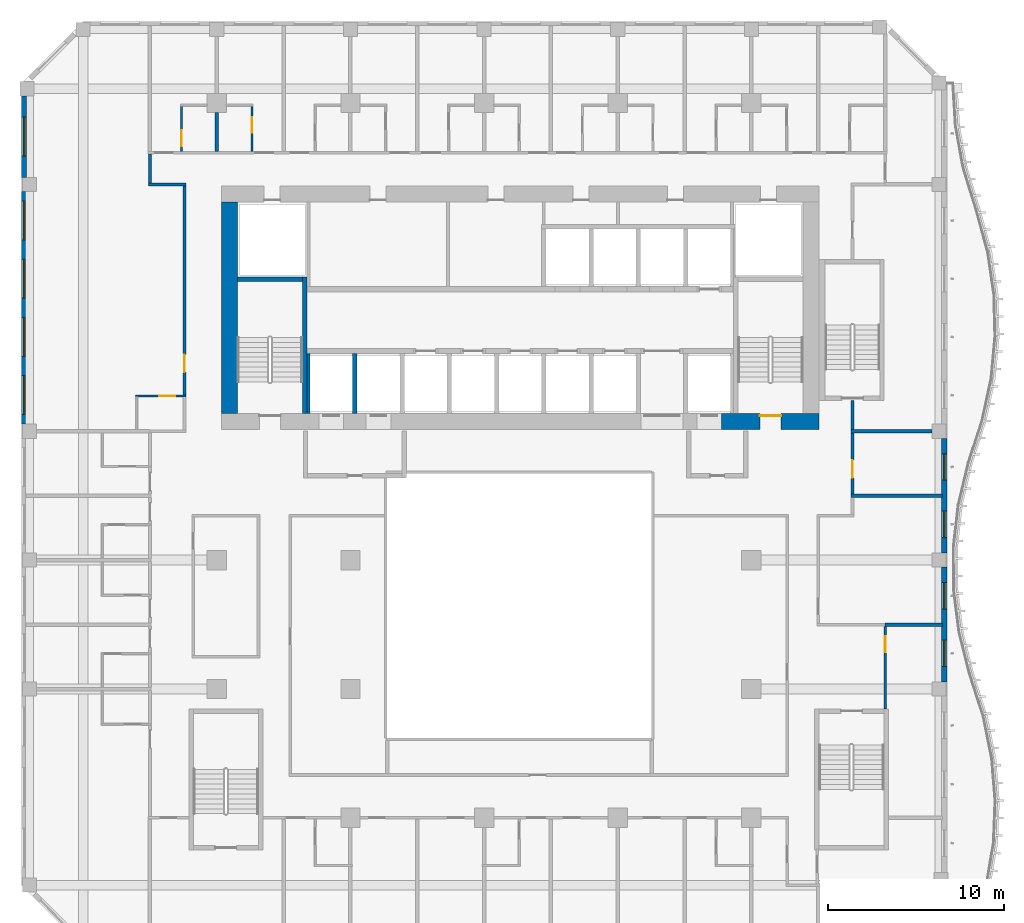
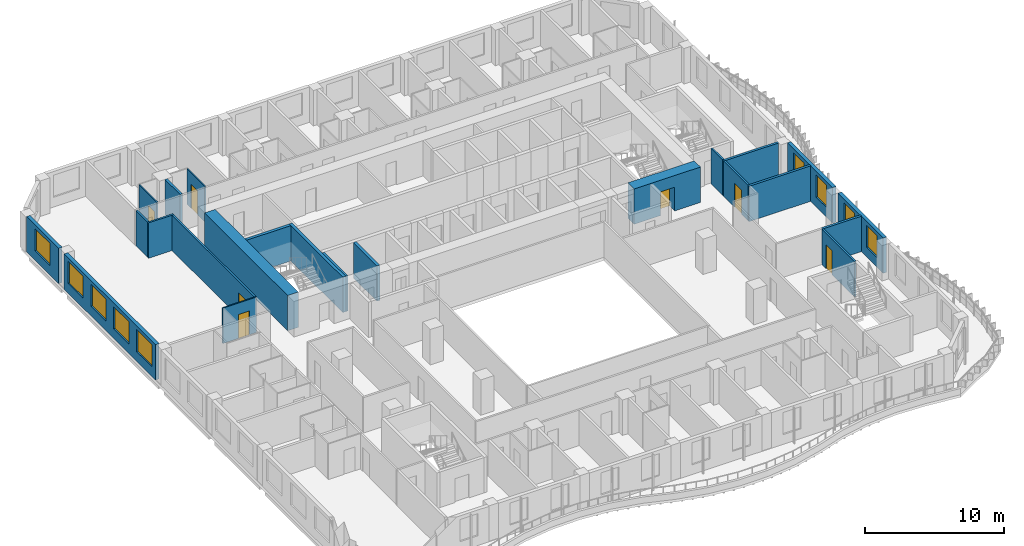
# One storey, part 6 of 21: 23 walls, 9 windows, 7 doors, 16 openings.
"""IFC4 building model written with IfcOpenShell, lengths in metres."""

from ifc_helpers import new_model, si_unit, direction, frame, frame_2d, origin, place, context, subcontext, project, spatial, rectangle, extrude, source, transform, mapped, material, layer, layer_set, type_object, element, fill, save


model = new_model("IFC4")

# Units and contexts
model_context = context("Model", 3, precision=1e-05, world=origin(), true_north=direction((0.0, 1.0)))
body_context = subcontext(model_context, "Body", "Model", "MODEL_VIEW")
ifc_project = project(units=[si_unit("LENGTHUNIT", "METRE"), si_unit("AREAUNIT", "SQUARE_METRE"), si_unit("VOLUMEUNIT", "CUBIC_METRE"), si_unit("PLANEANGLEUNIT", "RADIAN"), si_unit("MASSUNIT", "GRAM", prefix="KILO")], contexts=[model_context])

# Site, building, storey
site_placement = place(None, origin())
site = spatial("IfcSite", under=ifc_project, at=site_placement, CompositionType="ELEMENT")
building_placement = place(site_placement, origin())
building = spatial("IfcBuilding", under=site, at=building_placement, Name="Kilnfold Tower and Market Hall", CompositionType="ELEMENT")
storey_placement = place(building_placement, frame((0.0, 0.0, 147.300048828125)))
storey = spatial("IfcBuildingStorey", under=building, at=storey_placement, Name="L33", CompositionType="ELEMENT", Elevation=147.300048828125)

# Wall, opening, door
ifc_material_1 = material(Name="Gypsum board on steel studs", Category="steel")
ifc_layer_1 = layer(ifc_material_1, 0.14990234375)
ifc_layer_set_1 = layer_set([ifc_layer_1], Name="Gypsum board on steel studs")
wall_type_1 = type_object("IfcWallType", Name="WALL CORRIDOR 150", PredefinedType="PARTITIONING", material=ifc_layer_set_1)
wall_1_placement = place(storey_placement, frame((-18.0, 10.0400390625, 0.0), z_axis=(0.0, 0.0, 1.0), x_axis=(0.0, 1.0, 0.0)))
wall_1 = element("IfcWall", 1, at=wall_1_placement, inside=storey, type_object=wall_type_1, Name="Partition LY21.20", PredefinedType="PARTITIONING", context=body_context, shape_type="SweptSolid", body=[
    extrude(rectangle(XDim=11.885009765625, YDim=0.14990234375, at=frame_2d((5.9423828125, 0.0))), origin(), (0.0, 0.0, 1.0), 3.119873046875),
])
opening_1_placement = place(wall_1_placement, frame((1.30908203125, 0.0, 0.0)))
opening_1 = element("IfcOpeningElement", 2, at=opening_1_placement, cuts=wall_1, Name="Opening D1", PredefinedType="OPENING", context=body_context, shape_type="SweptSolid", body=[
    extrude(rectangle(XDim=1.0, YDim=2.10009765625, at=frame_2d((0.5, 1.050048828125))), frame((0.0, 0.0849609375, 0.0), z_axis=(0.0, -1.0, 0.0), x_axis=(1.0, 0.0, 0.0)), (0.0, 0.0, 1.0), 0.169921875),
])
ifc_material_2 = material(Name="Timber veneer door leaf in steel frame", Category="steel")
door_type_1 = type_object("IfcDoorType", Name="DOOR ENTRY 1000 X2100", OperationType="NOTDEFINED", PredefinedType="DOOR", material=ifc_material_2)
door_1_placement = place(opening_1_placement, origin())
door_1 = element("IfcDoor", 3, at=door_1_placement, inside=storey, type_object=door_type_1, Name="Door D1", OperationType="SINGLE_SWING_RIGHT", OverallHeight=2.10009765625, OverallWidth=1.0, PredefinedType="DOOR", context=body_context, shape_type="SweptSolid", body=[
    extrude(rectangle(XDim=1.0, YDim=2.10009765625, at=frame_2d((0.5, 1.050048828125))), frame((0.0, 0.02490234375, 0.0), z_axis=(0.0, -1.0, 0.0), x_axis=(1.0, 0.0, 0.0)), (0.0, 0.0, 1.0), 0.050048828125),
])
fill(opening_1, door_1)

# Walls
wall_2_placement = place(storey_placement, frame((-20.033935546875, 22.0, 0.0), z_axis=(0.0, 0.0, 1.0), x_axis=(1.0, 0.0, 0.0)))
element("IfcWall", 4, at=wall_2_placement, inside=storey, type_object=wall_type_1, Name="Partition LY21.21", PredefinedType="PARTITIONING", context=body_context, shape_type="SweptSolid", body=[
    extrude(rectangle(XDim=2.10888671875, YDim=0.14990234375, at=frame_2d((1.054443359375, 0.0))), origin(), (0.0, 0.0, 1.0), 3.119873046875),
])
wall_3_placement = place(storey_placement, frame((-19.958984375, 22.074951171875, 0.0), z_axis=(0.0, 0.0, 1.0), x_axis=(0.0, 1.0, 0.0)))
element("IfcWall", 5, at=wall_3_placement, inside=storey, type_object=wall_type_1, Name="Partition LY21.22", PredefinedType="PARTITIONING", context=body_context, shape_type="SweptSolid", body=[
    extrude(rectangle(XDim=1.650146484375, YDim=0.14990234375, at=frame_2d((0.8251953125, 0.0))), origin(), (0.0, 0.0, 1.0), 3.119873046875),
])

# Wall, opening, door
wall_4_placement = place(storey_placement, frame((19.89990234375, 4.43408203125, 0.0), z_axis=(0.0, 0.0, 1.0), x_axis=(0.0, 1.0, 0.0)))
wall_4 = element("IfcWall", 6, at=wall_4_placement, inside=storey, type_object=wall_type_1, Name="Partition LY21.27", PredefinedType="PARTITIONING", context=body_context, shape_type="SweptSolid", body=[
    extrude(rectangle(XDim=3.475830078125, YDim=0.14990234375, at=frame_2d((1.73779296875, 0.0))), origin(), (0.0, 0.0, 1.0), 3.119873046875),
])
opening_2_placement = place(wall_4_placement, frame((0.927001953125, 0.0, 0.0)))
opening_2 = element("IfcOpeningElement", 7, at=opening_2_placement, cuts=wall_4, Name="Opening D4", PredefinedType="OPENING", context=body_context, shape_type="SweptSolid", body=[
    extrude(rectangle(XDim=1.0, YDim=2.10009765625, at=frame_2d((0.5, 1.050048828125))), frame((0.0, 0.0849609375, 0.0), z_axis=(0.0, -1.0, 0.0), x_axis=(1.0, 0.0, 0.0)), (0.0, 0.0, 1.0), 0.169921875),
])
ifc_material_3 = material(Name="Timber veneer door leaf in steel frame", Category="steel")
door_type_2 = type_object("IfcDoorType", Name="DOOR SERVICE 1000 X2100", OperationType="NOTDEFINED", PredefinedType="DOOR", material=ifc_material_3)
door_2_placement = place(opening_2_placement, origin())
door_2 = element("IfcDoor", 8, at=door_2_placement, inside=storey, type_object=door_type_2, Name="Door D4", OperationType="SINGLE_SWING_RIGHT", OverallHeight=2.10009765625, OverallWidth=1.0, PredefinedType="DOOR", context=body_context, shape_type="SweptSolid", body=[
    extrude(rectangle(XDim=1.0, YDim=2.10009765625, at=frame_2d((0.5, 1.050048828125))), frame((0.0, 0.02490234375, 0.0), z_axis=(0.0, -1.0, 0.0), x_axis=(1.0, 0.0, 0.0)), (0.0, 0.0, 1.0), 0.050048828125),
])
fill(opening_2, door_2)

# Wall
wall_5_placement = place(storey_placement, frame((19.89990234375, 8.090087890625, 0.0), z_axis=(0.0, 0.0, 1.0), x_axis=(0.0, 1.0, 0.0)))
element("IfcWall", 9, at=wall_5_placement, inside=storey, type_object=wall_type_1, Name="Partition LY21.30", PredefinedType="PARTITIONING", context=body_context, shape_type="SweptSolid", body=[
    extrude(rectangle(XDim=1.659912109375, YDim=0.14990234375, at=frame_2d((0.830078125, 0.0))), origin(), (0.0, 0.0, 1.0), 3.119873046875),
])

# Wall, opening, door
wall_6_placement = place(storey_placement, frame((21.75, -7.75, 0.0), z_axis=(0.0, 0.0, 1.0), x_axis=(0.0, 1.0, 0.0)))
wall_6 = element("IfcWall", 10, at=wall_6_placement, inside=storey, type_object=wall_type_1, Name="Partition LY21.35", PredefinedType="PARTITIONING", context=body_context, shape_type="SweptSolid", body=[
    extrude(rectangle(XDim=4.681884765625, YDim=0.14990234375, at=frame_2d((2.3408203125, 0.0))), origin(), (0.0, 0.0, 1.0), 3.119873046875),
])
opening_3_placement = place(wall_6_placement, frame((3.205078125, 0.0, 0.0)))
opening_3 = element("IfcOpeningElement", 11, at=opening_3_placement, cuts=wall_6, Name="Opening D2", PredefinedType="OPENING", context=body_context, shape_type="SweptSolid", body=[
    extrude(rectangle(XDim=0.89990234375, YDim=2.10009765625, at=frame_2d((0.449951171875, 1.050048828125))), frame((0.0, 0.0849609375, 0.0), z_axis=(0.0, -1.0, 0.0), x_axis=(1.0, 0.0, 0.0)), (0.0, 0.0, 1.0), 0.169921875),
])
ifc_material_4 = material(Name="Timber veneer door leaf in steel frame", Category="steel")
door_type_3 = type_object("IfcDoorType", Name="DOOR ROOM 900 X2100", OperationType="NOTDEFINED", PredefinedType="DOOR", material=ifc_material_4)
door_3_placement = place(opening_3_placement, origin())
door_3 = element("IfcDoor", 12, at=door_3_placement, inside=storey, type_object=door_type_3, Name="Door D2", OperationType="SINGLE_SWING_LEFT", OverallHeight=2.10009765625, OverallWidth=0.89990234375, PredefinedType="DOOR", context=body_context, shape_type="SweptSolid", body=[
    extrude(rectangle(XDim=0.89990234375, YDim=2.10009765625, at=frame_2d((0.449951171875, 1.050048828125))), frame((0.0, 0.02490234375, 0.0), z_axis=(0.0, -1.0, 0.0), x_axis=(1.0, 0.0, 0.0)), (0.0, 0.0, 1.0), 0.050048828125),
])
fill(opening_3, door_3)

ifc_material_5 = material(Name="Gypsum board on steel studs", Category="steel")
ifc_layer_2 = layer(ifc_material_5, 0.10009765625)
ifc_layer_set_2 = layer_set([ifc_layer_2], Name="Gypsum board on steel studs")
wall_type_2 = type_object("IfcWallType", Name="WALL PARTITION 100", PredefinedType="PARTITIONING", material=ifc_layer_set_2)
wall_7_placement = place(storey_placement, frame((-20.751953125, 10.0, 0.0), z_axis=(0.0, 0.0, 1.0), x_axis=(1.0, 0.0, 0.0)))
wall_7 = element("IfcWall", 13, at=wall_7_placement, inside=storey, type_object=wall_type_2, Name="Partition LY21.80", PredefinedType="PARTITIONING", context=body_context, shape_type="SweptSolid", body=[
    extrude(rectangle(XDim=2.824951171875, YDim=0.10009765625, at=frame_2d((1.41259765625, 0.0))), origin(), (0.0, 0.0, 1.0), 3.119873046875),
])
opening_4_placement = place(wall_7_placement, frame((1.318115234375, 0.0, 0.0)))
opening_4 = element("IfcOpeningElement", 14, at=opening_4_placement, cuts=wall_7, Name="Opening D3", PredefinedType="OPENING", context=body_context, shape_type="SweptSolid", body=[
    extrude(rectangle(XDim=0.89990234375, YDim=2.10009765625, at=frame_2d((0.449951171875, 1.050048828125))), frame((0.0, 0.06005859375, 0.0), z_axis=(0.0, -1.0, 0.0), x_axis=(1.0, 0.0, 0.0)), (0.0, 0.0, 1.0), 0.1201171875),
])
ifc_material_6 = material(Name="Timber veneer door leaf in steel frame", Category="steel")
door_type_4 = type_object("IfcDoorType", Name="DOOR WC 900 X2100", OperationType="NOTDEFINED", PredefinedType="DOOR", material=ifc_material_6)
door_4_placement = place(opening_4_placement, origin())
door_4 = element("IfcDoor", 15, at=door_4_placement, inside=storey, type_object=door_type_4, Name="Door D3", OperationType="SINGLE_SWING_RIGHT", OverallHeight=2.10009765625, OverallWidth=0.89990234375, PredefinedType="DOOR", context=body_context, shape_type="SweptSolid", body=[
    extrude(rectangle(XDim=0.89990234375, YDim=2.10009765625, at=frame_2d((0.449951171875, 1.050048828125))), frame((0.0, 0.02490234375, 0.0), z_axis=(0.0, -1.0, 0.0), x_axis=(1.0, 0.0, 0.0)), (0.0, 0.0, 1.0), 0.050048828125),
])
fill(opening_4, door_4)

wall_8_placement = place(storey_placement, frame((-18.1669921875, 23.876953125, 0.0), z_axis=(0.0, 0.0, 1.0), x_axis=(0.0, 1.0, 0.0)))
wall_8 = element("IfcWall", 16, at=wall_8_placement, inside=storey, type_object=wall_type_2, Name="Partition LY21.84", PredefinedType="PARTITIONING", context=body_context, shape_type="SweptSolid", body=[
    extrude(rectangle(XDim=2.574951171875, YDim=0.10009765625, at=frame_2d((1.28759765625, 0.0))), origin(), (0.0, 0.0, 1.0), 3.119873046875),
])
opening_5_placement = place(wall_8_placement, frame((0.305908203125, 0.0, 0.0)))
opening_5 = element("IfcOpeningElement", 17, at=opening_5_placement, cuts=wall_8, Name="Opening D3", PredefinedType="OPENING", context=body_context, shape_type="SweptSolid", body=[
    extrude(rectangle(XDim=0.89990234375, YDim=2.10009765625, at=frame_2d((0.449951171875, 1.050048828125))), frame((0.0, 0.06005859375, 0.0), z_axis=(0.0, -1.0, 0.0), x_axis=(1.0, 0.0, 0.0)), (0.0, 0.0, 1.0), 0.1201171875),
])
door_5_placement = place(opening_5_placement, origin())
door_5 = element("IfcDoor", 18, at=door_5_placement, inside=storey, type_object=door_type_4, Name="Door D3", OperationType="SINGLE_SWING_RIGHT", OverallHeight=2.10009765625, OverallWidth=0.89990234375, PredefinedType="DOOR", context=body_context, shape_type="SweptSolid", body=[
    extrude(rectangle(XDim=0.89990234375, YDim=2.10009765625, at=frame_2d((0.449951171875, 1.050048828125))), frame((0.0, 0.02490234375, 0.0), z_axis=(0.0, -1.0, 0.0), x_axis=(1.0, 0.0, 0.0)), (0.0, 0.0, 1.0), 0.050048828125),
])
fill(opening_5, door_5)

wall_9_placement = place(storey_placement, frame((-14.1669921875, 26.451904296875, 0.0), z_axis=(0.0, 0.0, 1.0), x_axis=(0.0, -1.0, 0.0)))
wall_9 = element("IfcWall", 19, at=wall_9_placement, inside=storey, type_object=wall_type_2, Name="Partition LY21.88", PredefinedType="PARTITIONING", context=body_context, shape_type="SweptSolid", body=[
    extrude(rectangle(XDim=2.574951171875, YDim=0.10009765625, at=frame_2d((1.28759765625, 0.0))), origin(), (0.0, 0.0, 1.0), 3.119873046875),
])
opening_6_placement = place(wall_9_placement, frame((0.625, 0.0, 0.0)))
opening_6 = element("IfcOpeningElement", 20, at=opening_6_placement, cuts=wall_9, Name="Opening D3", PredefinedType="OPENING", context=body_context, shape_type="SweptSolid", body=[
    extrude(rectangle(XDim=0.89990234375, YDim=2.10009765625, at=frame_2d((0.449951171875, 1.050048828125))), frame((0.0, 0.06005859375, 0.0), z_axis=(0.0, -1.0, 0.0), x_axis=(1.0, 0.0, 0.0)), (0.0, 0.0, 1.0), 0.1201171875),
])
door_6_placement = place(opening_6_placement, origin())
door_6 = element("IfcDoor", 21, at=door_6_placement, inside=storey, type_object=door_type_4, Name="Door D3", OperationType="SINGLE_SWING_LEFT", OverallHeight=2.10009765625, OverallWidth=0.89990234375, PredefinedType="DOOR", context=body_context, shape_type="SweptSolid", body=[
    extrude(rectangle(XDim=0.89990234375, YDim=2.10009765625, at=frame_2d((0.449951171875, 1.050048828125))), frame((0.0, 0.02490234375, 0.0), z_axis=(0.0, -1.0, 0.0), x_axis=(1.0, 0.0, 0.0)), (0.0, 0.0, 1.0), 0.050048828125),
])
fill(opening_6, door_6)

# Walls
ifc_material_7 = material(Name="Gypsum board on steel studs", Category="steel")
ifc_layer_3 = layer(ifc_material_7, 0.199951171875)
ifc_layer_set_3 = layer_set([ifc_layer_3], Name="Gypsum board on steel studs")
wall_type_3 = type_object("IfcWallType", Name="WALL PARTY 200", PredefinedType="PARTITIONING", material=ifc_layer_set_3)
wall_10_placement = place(storey_placement, frame((-16.1669921875, 23.876953125, 0.0), z_axis=(0.0, 0.0, 1.0), x_axis=(0.0, 1.0, 0.0)))
element("IfcWall", 22, at=wall_10_placement, inside=storey, type_object=wall_type_3, Name="Partition LY21.86", PredefinedType="PARTITIONING", context=body_context, shape_type="SweptSolid", body=[
    extrude(rectangle(XDim=2.197998046875, YDim=0.199951171875, at=frame_2d((1.09912109375, 0.0))), origin(), (0.0, 0.0, 1.0), 3.119873046875),
])
wall_11_placement = place(storey_placement, frame((19.826904296875, 8.0, 0.0), z_axis=(0.0, 0.0, 1.0), x_axis=(1.0, 0.0, 0.0)))
element("IfcWall", 23, at=wall_11_placement, inside=storey, type_object=wall_type_3, Name="Partition LY21.123", PredefinedType="PARTITIONING", context=body_context, shape_type="SweptSolid", body=[
    extrude(rectangle(XDim=4.572998046875, YDim=0.199951171875, at=frame_2d((2.28662109375, 0.0))), origin(), (0.0, 0.0, 1.0), 3.119873046875),
])
wall_12_placement = place(storey_placement, frame((19.826904296875, 4.343994140625, 0.0), z_axis=(0.0, 0.0, 1.0), x_axis=(1.0, 0.0, 0.0)))
element("IfcWall", 24, at=wall_12_placement, inside=storey, type_object=wall_type_3, Name="Partition LY21.124", PredefinedType="PARTITIONING", context=body_context, shape_type="SweptSolid", body=[
    extrude(rectangle(XDim=5.173095703125, YDim=0.199951171875, at=frame_2d((2.58642578125, 0.0))), origin(), (0.0, 0.0, 1.0), 3.119873046875),
])
wall_13_placement = place(storey_placement, frame((21.7509765625, -2.968017578125, 0.0), z_axis=(0.0, 0.0, 1.0), x_axis=(0.999999954829, -0.000300571071, 0.0)))
element("IfcWall", 25, at=wall_13_placement, inside=storey, type_object=wall_type_3, Name="Partition LY21.125", PredefinedType="PARTITIONING", context=body_context, shape_type="SweptSolid", body=[
    extrude(rectangle(XDim=3.2490234375, YDim=0.199951171875, at=frame_2d((1.62451171875, 0.0))), origin(), (0.0, 0.0, 1.0), 3.119873046875),
])

# Wall, opening, door
ifc_material_8 = material(Name="Concrete C70", Category="concrete")
ifc_layer_4 = layer(ifc_material_8, 0.89990234375)
ifc_layer_set_4 = layer_set([ifc_layer_4], Name="Concrete C70")
wall_type_4 = type_object("IfcWallType", Name="CORE WALL 900 C70", PredefinedType="SHEAR", material=ifc_layer_set_4)
shared_shape_1 = source(origin(), body_context, "Body", "SweptSolid", [
    extrude(rectangle(XDim=5.530029296875, YDim=0.89990234375, at=frame_2d((2.76513671875, 0.0))), origin(), (0.0, 0.0, 1.0), 3.119873046875),
])
wall_14_placement = place(storey_placement, frame((12.469970703125, 8.550048828125, 0.0), z_axis=(0.0, 0.0, 1.0), x_axis=(1.0, 0.0, 0.0)))
wall_14 = element("IfcWall", 26, at=wall_14_placement, inside=storey, type_object=wall_type_4, Name="Core outer wall south", PredefinedType="SHEAR", context=body_context, shape_type="MappedRepresentation", body=[
    mapped(shared_shape_1, transform((0.0, 0.0, 0.0))),
])
opening_7_placement = place(wall_14_placement, frame((2.179931640625, 0.0, 0.0)))
opening_7 = element("IfcOpeningElement", 27, at=opening_7_placement, cuts=wall_14, Name="Opening SD1", PredefinedType="OPENING", context=body_context, shape_type="SweptSolid", body=[
    extrude(rectangle(XDim=1.199951171875, YDim=2.10009765625, at=frame_2d((0.60009765625, 1.050048828125))), frame((0.0, 0.4599609375, 0.0), z_axis=(0.0, -1.0, 0.0), x_axis=(1.0, 0.0, 0.0)), (0.0, 0.0, 1.0), 0.919921875),
])
ifc_material_9 = material(Name="Steel door set with fire-resisting leaf", Category="steel")
door_type_5 = type_object("IfcDoorType", Name="STAIR FLOOR DOOR 1200X2100", OperationType="NOTDEFINED", PredefinedType="DOOR", material=ifc_material_9)
door_7_placement = place(opening_7_placement, origin())
door_7 = element("IfcDoor", 28, at=door_7_placement, inside=storey, type_object=door_type_5, Name="Exit stair ST2 door", OperationType="DOUBLE_DOOR_SINGLE_SWING", OverallHeight=2.10009765625, OverallWidth=1.199951171875, PredefinedType="DOOR", context=body_context, shape_type="SweptSolid", body=[
    extrude(rectangle(XDim=1.199951171875, YDim=2.10009765625, at=frame_2d((0.60009765625, 1.050048828125))), frame((0.0, 0.35498046875, 0.0), z_axis=(0.0, -1.0, 0.0), x_axis=(1.0, 0.0, 0.0)), (0.0, 0.0, 1.0), 0.050048828125),
])
fill(opening_7, door_7)

# Walls
shared_shape_2 = source(origin(), body_context, "Body", "SweptSolid", [
    extrude(rectangle(XDim=12.0, YDim=0.89990234375, at=frame_2d((6.0, 0.0))), origin(), (0.0, 0.0, 1.0), 3.119873046875),
])
wall_15_placement = place(storey_placement, frame((-15.449951171875, 9.0, 0.0), z_axis=(0.0, 0.0, 1.0), x_axis=(0.0, 1.0, 0.0)))
element("IfcWall", 29, at=wall_15_placement, inside=storey, type_object=wall_type_4, Name="Core outer wall west", PredefinedType="SHEAR", context=body_context, shape_type="MappedRepresentation", body=[
    mapped(shared_shape_2, transform((0.0, 0.0, 0.0))),
])
ifc_material_10 = material(Name="Concrete C70", Category="concrete")
ifc_layer_5 = layer(ifc_material_10, 0.25)
ifc_layer_set_5 = layer_set([ifc_layer_5], Name="Concrete C70")
wall_type_5 = type_object("IfcWallType", Name="CORE WALL 250 C70", PredefinedType="SHEAR", material=ifc_layer_set_5)
shared_shape_3 = source(origin(), body_context, "Body", "SweptSolid", [
    extrude(rectangle(XDim=7.75, YDim=0.25, at=frame_2d((3.875, 0.0))), origin(), (0.0, 0.0, 1.0), 3.119873046875),
])
wall_16_placement = place(storey_placement, frame((-11.175048828125, 9.0, 0.0), z_axis=(0.0, 0.0, 1.0), x_axis=(0.0, 1.0, 0.0)))
element("IfcWall", 30, at=wall_16_placement, inside=storey, type_object=wall_type_5, Name="Stair enclosure ST1", PredefinedType="SHEAR", context=body_context, shape_type="MappedRepresentation", body=[
    mapped(shared_shape_3, transform((0.0, 0.0, 0.0))),
])
shared_shape_4 = source(origin(), body_context, "Body", "SweptSolid", [
    extrude(rectangle(XDim=3.699951171875, YDim=0.25, at=frame_2d((1.85009765625, 0.0))), origin(), (0.0, 0.0, 1.0), 3.119873046875),
])
wall_17_placement = place(storey_placement, frame((-15.0, 16.625, 0.0), z_axis=(0.0, 0.0, 1.0), x_axis=(1.0, 0.0, 0.0)))
element("IfcWall", 31, at=wall_17_placement, inside=storey, type_object=wall_type_5, Name="Stair enclosure ST1", PredefinedType="SHEAR", context=body_context, shape_type="MappedRepresentation", body=[
    mapped(shared_shape_4, transform((0.0, 0.0, 0.0))),
])

# Wall, openings, windows
ifc_material_11 = material(Name="Precast concrete C50/60", Category="concrete")
ifc_layer_6 = layer(ifc_material_11, 0.300048828125)
ifc_layer_set_6 = layer_set([ifc_layer_6], Name="Precast concrete C50/60")
wall_type_6 = type_object("IfcWallType", Name="PRECAST WALL 300", PredefinedType="SOLIDWALL", material=ifc_layer_set_6)
shared_shape_5 = source(origin(), body_context, "Body", "SweptSolid", [
    extrude(rectangle(XDim=6.5126953125, YDim=0.300048828125, at=frame_2d((3.25634765625, 0.0))), origin(), (0.0, 0.0, 1.0), 3.119873046875),
])
wall_18_placement = place(storey_placement, frame((25.10009765625, -6.22509765625, 0.0), z_axis=(0.0, 0.0, 1.0), x_axis=(0.0, 1.0, 0.0)))
wall_18 = element("IfcWall", 32, at=wall_18_placement, inside=storey, type_object=wall_type_6, Name="External wall L33 E", PredefinedType="SOLIDWALL", context=body_context, shape_type="MappedRepresentation", body=[
    mapped(shared_shape_5, transform((0.0, 0.0, 0.0))),
])
opening_8_placement = place(wall_18_placement, frame((0.878173828125, 0.0, 0.85009765625)))
opening_8 = element("IfcOpeningElement", 33, at=opening_8_placement, cuts=wall_18, Name="Opening W4", PredefinedType="OPENING", context=body_context, shape_type="SweptSolid", body=[
    extrude(rectangle(XDim=1.5, YDim=1.949951171875, at=frame_2d((0.75, 0.97509765625))), frame((0.0, 0.16015625, 0.0), z_axis=(0.0, -1.0, 0.0), x_axis=(1.0, 0.0, 0.0)), (0.0, 0.0, 1.0), 0.320068359375),
])
opening_9_placement = place(wall_18_placement, frame((4.134521484375, 0.0, 0.85009765625)))
opening_9 = element("IfcOpeningElement", 34, at=opening_9_placement, cuts=wall_18, Name="Opening W4", PredefinedType="OPENING", context=body_context, shape_type="SweptSolid", body=[
    extrude(rectangle(XDim=1.5, YDim=1.949951171875, at=frame_2d((0.75, 0.97509765625))), frame((0.0, 0.16015625, 0.0), z_axis=(0.0, -1.0, 0.0), x_axis=(1.0, 0.0, 0.0)), (0.0, 0.0, 1.0), 0.320068359375),
])
ifc_material_12 = material(Name="Aluminium frame and double glazing", Category="aluminium")
window_type_1 = type_object("IfcWindowType", Name="WINDOW W4 1500X1950", PartitioningType="SINGLE_PANEL", PredefinedType="WINDOW", material=ifc_material_12)
window_1_placement = place(opening_8_placement, origin())
window_1 = element("IfcWindow", 35, at=window_1_placement, inside=storey, type_object=window_type_1, Name="Window W4 L33 E-1", OverallHeight=1.949951171875, OverallWidth=1.5, PartitioningType="SINGLE_PANEL", PredefinedType="WINDOW", context=body_context, shape_type="SweptSolid", body=[
    extrude(rectangle(XDim=1.5, YDim=1.949951171875, at=frame_2d((0.75, 0.97509765625))), frame((0.0, 0.030029296875, 0.0), z_axis=(0.0, -1.0, 0.0), x_axis=(1.0, 0.0, 0.0)), (0.0, 0.0, 1.0), 0.06005859375),
])
fill(opening_8, window_1)
window_2_placement = place(opening_9_placement, origin())
window_2 = element("IfcWindow", 36, at=window_2_placement, inside=storey, type_object=window_type_1, Name="Window W4 L33 E-2", OverallHeight=1.949951171875, OverallWidth=1.5, PartitioningType="SINGLE_PANEL", PredefinedType="WINDOW", context=body_context, shape_type="SweptSolid", body=[
    extrude(rectangle(XDim=1.5, YDim=1.949951171875, at=frame_2d((0.75, 0.97509765625))), frame((0.0, 0.030029296875, 0.0), z_axis=(0.0, -1.0, 0.0), x_axis=(1.0, 0.0, 0.0)), (0.0, 0.0, 1.0), 0.06005859375),
])
fill(opening_9, window_2)

wall_19_placement = place(storey_placement, frame((25.10009765625, 1.08740234375, 0.0), z_axis=(0.0, 0.0, 1.0), x_axis=(0.0, 1.0, 0.0)))
wall_19 = element("IfcWall", 37, at=wall_19_placement, inside=storey, type_object=wall_type_6, Name="External wall L33 E", PredefinedType="SOLIDWALL", context=body_context, shape_type="MappedRepresentation", body=[
    mapped(shared_shape_5, transform((0.0, 0.0, 0.0))),
])
opening_10_placement = place(wall_19_placement, frame((0.878173828125, 0.0, 0.85009765625)))
opening_10 = element("IfcOpeningElement", 38, at=opening_10_placement, cuts=wall_19, Name="Opening W4", PredefinedType="OPENING", context=body_context, shape_type="SweptSolid", body=[
    extrude(rectangle(XDim=1.5, YDim=1.949951171875, at=frame_2d((0.75, 0.97509765625))), frame((0.0, 0.16015625, 0.0), z_axis=(0.0, -1.0, 0.0), x_axis=(1.0, 0.0, 0.0)), (0.0, 0.0, 1.0), 0.320068359375),
])
opening_11_placement = place(wall_19_placement, frame((4.134521484375, 0.0, 0.85009765625)))
opening_11 = element("IfcOpeningElement", 39, at=opening_11_placement, cuts=wall_19, Name="Opening W4", PredefinedType="OPENING", context=body_context, shape_type="SweptSolid", body=[
    extrude(rectangle(XDim=1.5, YDim=1.949951171875, at=frame_2d((0.75, 0.97509765625))), frame((0.0, 0.16015625, 0.0), z_axis=(0.0, -1.0, 0.0), x_axis=(1.0, 0.0, 0.0)), (0.0, 0.0, 1.0), 0.320068359375),
])
window_3_placement = place(opening_10_placement, origin())
window_3 = element("IfcWindow", 40, at=window_3_placement, inside=storey, type_object=window_type_1, Name="Window W4 L33 E-1", OverallHeight=1.949951171875, OverallWidth=1.5, PartitioningType="SINGLE_PANEL", PredefinedType="WINDOW", context=body_context, shape_type="SweptSolid", body=[
    extrude(rectangle(XDim=1.5, YDim=1.949951171875, at=frame_2d((0.75, 0.97509765625))), frame((0.0, 0.030029296875, 0.0), z_axis=(0.0, -1.0, 0.0), x_axis=(1.0, 0.0, 0.0)), (0.0, 0.0, 1.0), 0.06005859375),
])
fill(opening_10, window_3)
window_4_placement = place(opening_11_placement, origin())
window_4 = element("IfcWindow", 41, at=window_4_placement, inside=storey, type_object=window_type_1, Name="Window W4 L33 E-2", OverallHeight=1.949951171875, OverallWidth=1.5, PartitioningType="SINGLE_PANEL", PredefinedType="WINDOW", context=body_context, shape_type="SweptSolid", body=[
    extrude(rectangle(XDim=1.5, YDim=1.949951171875, at=frame_2d((0.75, 0.97509765625))), frame((0.0, 0.030029296875, 0.0), z_axis=(0.0, -1.0, 0.0), x_axis=(1.0, 0.0, 0.0)), (0.0, 0.0, 1.0), 0.06005859375),
])
fill(opening_11, window_4)

shared_shape_6 = source(origin(), body_context, "Body", "SweptSolid", [
    extrude(rectangle(XDim=13.2001953125, YDim=0.300048828125, at=frame_2d((6.60009765625, 0.0))), origin(), (0.0, 0.0, 1.0), 3.119873046875),
])
wall_20_placement = place(storey_placement, frame((-27.10009765625, 21.60009765625, 0.0), z_axis=(0.0, 0.0, 1.0), x_axis=(0.0, -1.0, 0.0)))
wall_20 = element("IfcWall", 42, at=wall_20_placement, inside=storey, type_object=wall_type_6, Name="External wall L33 W", PredefinedType="SOLIDWALL", context=body_context, shape_type="MappedRepresentation", body=[
    mapped(shared_shape_6, transform((0.0, 0.0, 0.0))),
])
opening_12_placement = place(wall_20_placement, frame((0.550048828125, 0.0, 0.85009765625)))
opening_12 = element("IfcOpeningElement", 43, at=opening_12_placement, cuts=wall_20, Name="Opening W2", PredefinedType="OPENING", context=body_context, shape_type="SweptSolid", body=[
    extrude(rectangle(XDim=2.199951171875, YDim=1.949951171875, at=frame_2d((1.10009765625, 0.97509765625))), frame((0.0, 0.16015625, 0.0), z_axis=(0.0, -1.0, 0.0), x_axis=(1.0, 0.0, 0.0)), (0.0, 0.0, 1.0), 0.320068359375),
])
opening_13_placement = place(wall_20_placement, frame((3.85009765625, 0.0, 0.85009765625)))
opening_13 = element("IfcOpeningElement", 44, at=opening_13_placement, cuts=wall_20, Name="Opening W2", PredefinedType="OPENING", context=body_context, shape_type="SweptSolid", body=[
    extrude(rectangle(XDim=2.199951171875, YDim=1.949951171875, at=frame_2d((1.10009765625, 0.97509765625))), frame((0.0, 0.16015625, 0.0), z_axis=(0.0, -1.0, 0.0), x_axis=(1.0, 0.0, 0.0)), (0.0, 0.0, 1.0), 0.320068359375),
])
opening_14_placement = place(wall_20_placement, frame((7.14990234375, 0.0, 0.85009765625)))
opening_14 = element("IfcOpeningElement", 45, at=opening_14_placement, cuts=wall_20, Name="Opening W2", PredefinedType="OPENING", context=body_context, shape_type="SweptSolid", body=[
    extrude(rectangle(XDim=2.199951171875, YDim=1.949951171875, at=frame_2d((1.10009765625, 0.97509765625))), frame((0.0, 0.16015625, 0.0), z_axis=(0.0, -1.0, 0.0), x_axis=(1.0, 0.0, 0.0)), (0.0, 0.0, 1.0), 0.320068359375),
])
opening_15_placement = place(wall_20_placement, frame((10.449951171875, 0.0, 0.85009765625)))
opening_15 = element("IfcOpeningElement", 46, at=opening_15_placement, cuts=wall_20, Name="Opening W2", PredefinedType="OPENING", context=body_context, shape_type="SweptSolid", body=[
    extrude(rectangle(XDim=2.199951171875, YDim=1.949951171875, at=frame_2d((1.10009765625, 0.97509765625))), frame((0.0, 0.16015625, 0.0), z_axis=(0.0, -1.0, 0.0), x_axis=(1.0, 0.0, 0.0)), (0.0, 0.0, 1.0), 0.320068359375),
])
ifc_material_13 = material(Name="Aluminium frame and double glazing", Category="aluminium")
window_type_2 = type_object("IfcWindowType", Name="WINDOW W2 2200X1950", PartitioningType="SINGLE_PANEL", PredefinedType="WINDOW", material=ifc_material_13)
window_5_placement = place(opening_12_placement, origin())
window_5 = element("IfcWindow", 47, at=window_5_placement, inside=storey, type_object=window_type_2, Name="Window W2 L33 W-1", OverallHeight=1.949951171875, OverallWidth=2.199951171875, PartitioningType="SINGLE_PANEL", PredefinedType="WINDOW", context=body_context, shape_type="SweptSolid", body=[
    extrude(rectangle(XDim=2.199951171875, YDim=1.949951171875, at=frame_2d((1.10009765625, 0.97509765625))), frame((0.0, 0.030029296875, 0.0), z_axis=(0.0, -1.0, 0.0), x_axis=(1.0, 0.0, 0.0)), (0.0, 0.0, 1.0), 0.06005859375),
])
fill(opening_12, window_5)
window_6_placement = place(opening_13_placement, origin())
window_6 = element("IfcWindow", 48, at=window_6_placement, inside=storey, type_object=window_type_2, Name="Window W2 L33 W-2", OverallHeight=1.949951171875, OverallWidth=2.199951171875, PartitioningType="SINGLE_PANEL", PredefinedType="WINDOW", context=body_context, shape_type="SweptSolid", body=[
    extrude(rectangle(XDim=2.199951171875, YDim=1.949951171875, at=frame_2d((1.10009765625, 0.97509765625))), frame((0.0, 0.030029296875, 0.0), z_axis=(0.0, -1.0, 0.0), x_axis=(1.0, 0.0, 0.0)), (0.0, 0.0, 1.0), 0.06005859375),
])
fill(opening_13, window_6)
window_7_placement = place(opening_14_placement, origin())
window_7 = element("IfcWindow", 49, at=window_7_placement, inside=storey, type_object=window_type_2, Name="Window W2 L33 W-3", OverallHeight=1.949951171875, OverallWidth=2.199951171875, PartitioningType="SINGLE_PANEL", PredefinedType="WINDOW", context=body_context, shape_type="SweptSolid", body=[
    extrude(rectangle(XDim=2.199951171875, YDim=1.949951171875, at=frame_2d((1.10009765625, 0.97509765625))), frame((0.0, 0.030029296875, 0.0), z_axis=(0.0, -1.0, 0.0), x_axis=(1.0, 0.0, 0.0)), (0.0, 0.0, 1.0), 0.06005859375),
])
fill(opening_14, window_7)
window_8_placement = place(opening_15_placement, origin())
window_8 = element("IfcWindow", 50, at=window_8_placement, inside=storey, type_object=window_type_2, Name="Window W2 L33 W-4", OverallHeight=1.949951171875, OverallWidth=2.199951171875, PartitioningType="SINGLE_PANEL", PredefinedType="WINDOW", context=body_context, shape_type="SweptSolid", body=[
    extrude(rectangle(XDim=2.199951171875, YDim=1.949951171875, at=frame_2d((1.10009765625, 0.97509765625))), frame((0.0, 0.030029296875, 0.0), z_axis=(0.0, -1.0, 0.0), x_axis=(1.0, 0.0, 0.0)), (0.0, 0.0, 1.0), 0.06005859375),
])
fill(opening_15, window_8)

# Wall, opening, window
shared_shape_7 = source(origin(), body_context, "Body", "SweptSolid", [
    extrude(rectangle(XDim=4.6318359375, YDim=0.300048828125, at=frame_2d((2.31591796875, 0.0))), origin(), (0.0, 0.0, 1.0), 3.119873046875),
])
wall_21_placement = place(storey_placement, frame((-27.10009765625, 27.03173828125, 0.0), z_axis=(0.0, 0.0, 1.0), x_axis=(0.0, -1.0, 0.0)))
wall_21 = element("IfcWall", 51, at=wall_21_placement, inside=storey, type_object=wall_type_6, Name="External wall L33 W", PredefinedType="SOLIDWALL", context=body_context, shape_type="MappedRepresentation", body=[
    mapped(shared_shape_7, transform((0.0, 0.0, 0.0))),
])
opening_16_placement = place(wall_21_placement, frame((1.2158203125, 0.0, 0.85009765625)))
opening_16 = element("IfcOpeningElement", 52, at=opening_16_placement, cuts=wall_21, Name="Opening W2", PredefinedType="OPENING", context=body_context, shape_type="SweptSolid", body=[
    extrude(rectangle(XDim=2.199951171875, YDim=1.949951171875, at=frame_2d((1.10009765625, 0.97509765625))), frame((0.0, 0.16015625, 0.0), z_axis=(0.0, -1.0, 0.0), x_axis=(1.0, 0.0, 0.0)), (0.0, 0.0, 1.0), 0.320068359375),
])
window_9_placement = place(opening_16_placement, origin())
window_9 = element("IfcWindow", 53, at=window_9_placement, inside=storey, type_object=window_type_2, Name="Window W2 L33 W-1", OverallHeight=1.949951171875, OverallWidth=2.199951171875, PartitioningType="SINGLE_PANEL", PredefinedType="WINDOW", context=body_context, shape_type="SweptSolid", body=[
    extrude(rectangle(XDim=2.199951171875, YDim=1.949951171875, at=frame_2d((1.10009765625, 0.97509765625))), frame((0.0, 0.030029296875, 0.0), z_axis=(0.0, -1.0, 0.0), x_axis=(1.0, 0.0, 0.0)), (0.0, 0.0, 1.0), 0.06005859375),
])
fill(opening_16, window_9)

# Walls
ifc_material_14 = material(Name="Gypsum shaft wall system")
ifc_layer_7 = layer(ifc_material_14, 0.25)
ifc_layer_set_7 = layer_set([ifc_layer_7], Name="Gypsum shaft wall system")
wall_type_7 = type_object("IfcWallType", Name="SHAFT WALL 250", PredefinedType="PARTITIONING", material=ifc_layer_set_7)
shared_shape_8 = source(origin(), body_context, "Body", "SweptSolid", [
    extrude(rectangle(XDim=3.39990234375, YDim=0.25, at=frame_2d((1.699951171875, 0.0))), origin(), (0.0, 0.0, 1.0), 3.119873046875),
])
wall_22_placement = place(storey_placement, frame((-8.330078125, 9.0, 0.0), z_axis=(0.0, 0.0, 1.0), x_axis=(0.0, 1.0, 0.0)))
element("IfcWall", 54, at=wall_22_placement, inside=storey, type_object=wall_type_7, Name="Lift shaft wall", PredefinedType="PARTITIONING", context=body_context, shape_type="MappedRepresentation", body=[
    mapped(shared_shape_8, transform((0.0, 0.0, 0.0))),
])
ifc_material_15 = material(Name="Gypsum shaft wall system")
ifc_layer_8 = layer(ifc_material_15, 0.1650390625)
ifc_layer_set_8 = layer_set([ifc_layer_8], Name="Gypsum shaft wall system")
wall_type_8 = type_object("IfcWallType", Name="SHAFT WALL 165", PredefinedType="PARTITIONING", material=ifc_layer_set_8)
shared_shape_9 = source(origin(), body_context, "Body", "SweptSolid", [
    extrude(rectangle(XDim=3.39990234375, YDim=0.1650390625, at=frame_2d((1.699951171875, 0.0))), origin(), (0.0, 0.0, 1.0), 3.119873046875),
])
wall_23_placement = place(storey_placement, frame((-10.967529296875, 9.0, 0.0), z_axis=(0.0, 0.0, 1.0), x_axis=(0.0, 1.0, 0.0)))
element("IfcWall", 55, at=wall_23_placement, inside=storey, type_object=wall_type_8, Name="Lift shaft wall", PredefinedType="PARTITIONING", context=body_context, shape_type="MappedRepresentation", body=[
    mapped(shared_shape_9, transform((0.0, 0.0, 0.0))),
])

save(model, "model.ifc")
